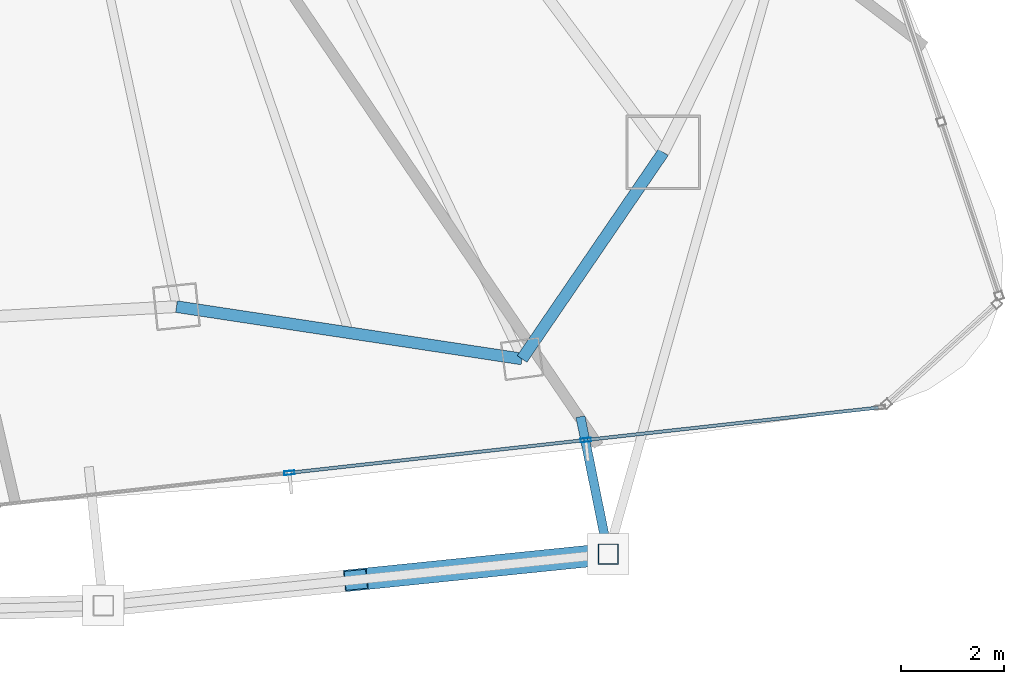
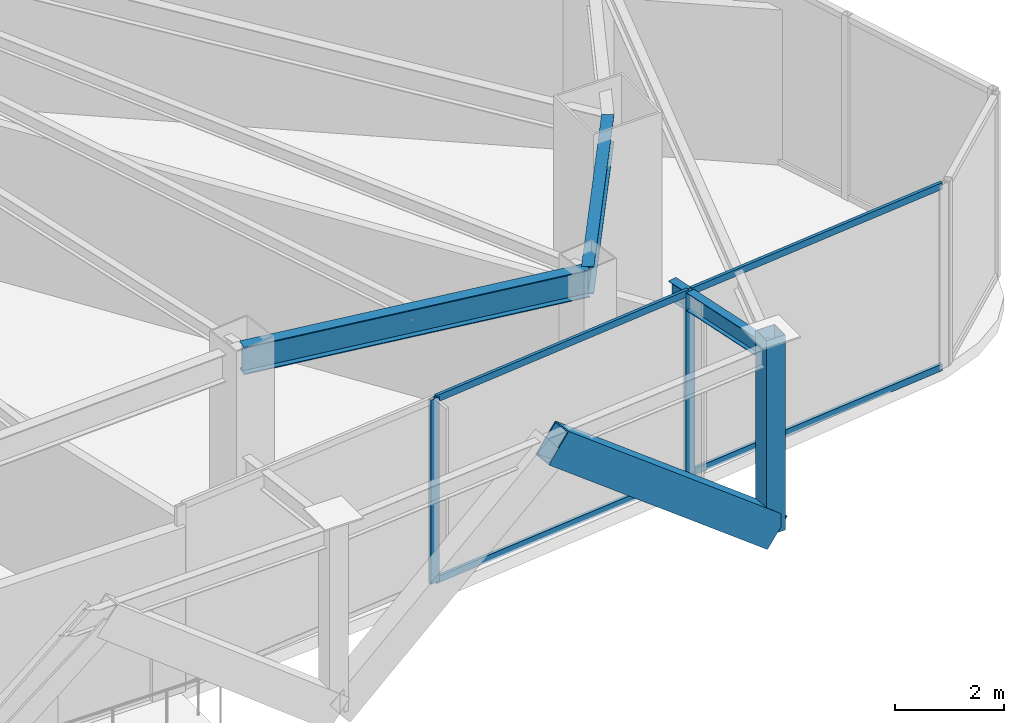
# One storey, part 12 of 28: 8 members, 3 beams, 1 element without a shape of its own.
"""IFC4 building model written with IfcOpenShell, lengths in metres."""

from ifc_helpers import new_model, si_unit, direction, frame, origin, origin_2d, place, context, subcontext, project, spatial, hollow_rectangle, i_section, extrude, material, layer, layer_set, material_profile, profile_set, type_object, element, aggregate, save


model = new_model("IFC4")

# Units and contexts
model_context = context("Model", 3, precision=1e-05, world=origin(), true_north=direction((0.0, 1.0)))
body_context = subcontext(model_context, "Body", "Model", "MODEL_VIEW")
ifc_project = project(units=[si_unit("LENGTHUNIT", "METRE"), si_unit("AREAUNIT", "SQUARE_METRE"), si_unit("VOLUMEUNIT", "CUBIC_METRE"), si_unit("PLANEANGLEUNIT", "RADIAN"), si_unit("MASSUNIT", "GRAM", prefix="KILO")], contexts=[model_context])

# Site, building, storey
site_placement = place(None, origin())
site = spatial("IfcSite", under=ifc_project, at=site_placement, CompositionType="ELEMENT")
building_placement = place(site_placement, origin())
building = spatial("IfcBuilding", under=site, at=building_placement, Name="Orvanel Arch Residences", CompositionType="ELEMENT")
storey_placement = place(building_placement, frame((0.0, 0.0, 146.300048828125)))
storey = spatial("IfcBuildingStorey", under=building, at=storey_placement, Name="L41", CompositionType="ELEMENT", Elevation=146.300048828125)

# Member
ifc_material_1 = material(Name="Structural steel AS/NZS 3678 Grade 350", Category="steel")
ifc_material_profile_1 = material_profile(ifc_material_1, hollow_rectangle(XDim=0.419921875, YDim=0.719970703125, WallThickness=0.02490234375, at=origin_2d()), Name="RHS720x420x25")
ifc_profile_set_1 = profile_set([ifc_material_profile_1], Name="Structural steel AS/NZS 3678 Grade 350")
member_type_1 = type_object("IfcMemberType", Name="BR-720RHS-EXT", PredefinedType="BRACE", material=ifc_profile_set_1)
member_1_placement = place(storey_placement, frame((50.73291015625, 2.551025390625, 0.0), z_axis=(-0.77945921394, -0.079522390662, 0.621385164924), x_axis=(0.101495670463, -0.994835980892, 0.0)))
element("IfcMember", 1, at=member_1_placement, inside=storey, type_object=member_type_1, Name="L41 Exterior Sky-Garden V-Frame Chevron F2B3.2", PredefinedType="BRACE", context=body_context, shape_type="SweptSolid", body=[
    extrude(hollow_rectangle(XDim=0.419921875, YDim=0.719970703125, WallThickness=0.02490234375, at=origin_2d()), origin(), (0.0, 0.0, 1.0), 6.28759765625),
])

# Curtain wall, members
ifc_material_2 = material(Name="Bronze-anodised aluminium AA6063-T6", Category="aluminium")
ifc_layer = layer(ifc_material_2, 0.195068359375)
ifc_layer_set = layer_set([ifc_layer], Name="Bronze-anodised aluminium AA6063-T6")
curtain_wall_type = type_object("IfcCurtainWallType", Name="CW6-COM-SYS", PredefinedType="NOTDEFINED", material=ifc_layer_set)
curtain_wall_placement = place(storey_placement, origin())
curtain_wall = element("IfcCurtainWall", 2, at=curtain_wall_placement, inside=storey, type_object=curtain_wall_type, Name="L41 CW6-COM-SYS Unitised Curtain Wall", PredefinedType="NOTDEFINED")
ifc_material_profile_2 = material_profile(ifc_material_2, hollow_rectangle(XDim=0.074951171875, YDim=0.199951171875, WallThickness=0.0048828125, at=origin_2d()), Name="ALU200x75x5")
ifc_profile_set_2 = profile_set([ifc_material_profile_2], Name="Bronze-anodised aluminium AA6063-T6")
member_type_2 = type_object("IfcMemberType", Name="MUL-200x75", PredefinedType="MULLION", material=ifc_profile_set_2)
member_2_placement = place(storey_placement, frame((44.5419921875, 4.12841796875, 0.0), z_axis=(0.0, 0.0, 1.0), x_axis=(-0.110090261109, 0.993921593693, 0.0)))
member_2 = element("IfcMember", 3, at=member_2_placement, type_object=member_type_2, Name="CW-S6 mullion 2", PredefinedType="MULLION", context=body_context, shape_type="SweptSolid", body=[
    extrude(hollow_rectangle(XDim=0.074951171875, YDim=0.199951171875, WallThickness=0.0048828125, at=origin_2d()), origin(), (0.0, 0.0, 1.0), 4.10986328125),
])
member_3_placement = place(storey_placement, frame((50.2958984375, 4.765625, 0.0), z_axis=(0.0, 0.0, 1.0), x_axis=(-0.110090261109, 0.993921593693, 0.0)))
member_3 = element("IfcMember", 4, at=member_3_placement, type_object=member_type_2, Name="CW-S6 mullion 3", PredefinedType="MULLION", context=body_context, shape_type="SweptSolid", body=[
    extrude(hollow_rectangle(XDim=0.074951171875, YDim=0.199951171875, WallThickness=0.0048828125, at=origin_2d()), origin(), (0.0, 0.0, 1.0), 4.10986328125),
])

# Beams
ifc_material_3 = material(Name="Structural steel AS/NZS 3679.1 Grade 300 (300 MPa)", Category="steel")
ifc_material_profile_3 = material_profile(ifc_material_3, i_section(OverallWidth=0.177978515625, OverallDepth=0.406005859375, WebThickness=0.0078125, FlangeThickness=0.0126953125, at=origin_2d()), Name="410UB59.7")
ifc_profile_set_3 = profile_set([ifc_material_profile_3], Name="Structural steel AS/NZS 3679.1 Grade 300 (300 MPa)")
beam_type_1 = type_object("IfcBeamType", Name="OB-410UB-EXT", PredefinedType="SPANDREL", material=ifc_profile_set_3)
beam_1_placement = place(storey_placement, frame((50.194091796875, 5.218994140625, 3.906982421875), z_axis=(0.197961477858, -0.980209800647, 0.0), x_axis=(0.980209800647, 0.197961477858, 0.0)))
element("IfcBeam", 5, at=beam_1_placement, inside=storey, type_object=beam_type_1, Name="L41 Outer Frame Radial Tie Beam 08", PredefinedType="SPANDREL", context=body_context, shape_type="SweptSolid", body=[
    extrude(i_section(OverallWidth=0.177978515625, OverallDepth=0.406005859375, WebThickness=0.0078125, FlangeThickness=0.0126953125, at=origin_2d()), origin(), (0.0, 0.0, 1.0), 2.721923828125),
])
ifc_material_profile_4 = material_profile(ifc_material_3, i_section(OverallWidth=0.22900390625, OverallDepth=0.612060546875, WebThickness=0.011962890625, FlangeThickness=0.01953125, at=origin_2d()), Name="610UB125")
ifc_profile_set_4 = profile_set([ifc_material_profile_4], Name="Structural steel AS/NZS 3679.1 Grade 300 (300 MPa)")
beam_type_2 = type_object("IfcBeamType", Name="SP-610UB", PredefinedType="SPANDREL", material=ifc_profile_set_4)
beam_2_placement = place(storey_placement, frame((42.35107421875, 7.35498046875, 3.803955078125), z_axis=(0.988726323014, -0.149733958002, 0.0), x_axis=(0.149733958002, 0.988726323014, 0.0)))
element("IfcBeam", 6, at=beam_2_placement, inside=storey, type_object=beam_type_2, Name="L41 Perimeter Spandrel Beam 07", PredefinedType="SPANDREL", context=body_context, shape_type="SweptSolid", body=[
    extrude(i_section(OverallWidth=0.22900390625, OverallDepth=0.612060546875, WebThickness=0.011962890625, FlangeThickness=0.01953125, at=origin_2d()), origin(), (0.0, 0.0, 1.0), 6.784423828125),
])
beam_3_placement = place(storey_placement, frame((49.05908203125, 6.339111328125, 3.803955078125), z_axis=(0.564251579852, 0.825602903722, 0.0), x_axis=(-0.825602903722, 0.564251579852, 0.0)))
element("IfcBeam", 7, at=beam_3_placement, inside=storey, type_object=beam_type_2, Name="L41 Perimeter Spandrel Beam 08", PredefinedType="SPANDREL", context=body_context, shape_type="SweptSolid", body=[
    extrude(i_section(OverallWidth=0.22900390625, OverallDepth=0.612060546875, WebThickness=0.011962890625, FlangeThickness=0.01953125, at=origin_2d()), origin(), (0.0, 0.0, 1.0), 4.859375),
])

# Member
ifc_material_4 = material(Name="Structural steel AS/NZS 1163 C450L0 (Grade 450)", Category="steel")
ifc_material_profile_5 = material_profile(ifc_material_4, hollow_rectangle(XDim=0.39990234375, YDim=0.39990234375, WallThickness=0.01611328125, at=origin_2d()), Name="SHS400x400x16")
ifc_profile_set_5 = profile_set([ifc_material_profile_5], Name="Structural steel AS/NZS 1163 C450L0 (Grade 450)")
member_type_3 = type_object("IfcMemberType", Name="ST-400SHS-EXT", PredefinedType="STRUT", material=ifc_profile_set_5)
member_4_placement = place(storey_placement, frame((50.73291015625, 2.551025390625, 0.0), z_axis=(0.0, 0.0, 1.0), x_axis=(1.0, 0.0, 0.0)))
element("IfcMember", 8, at=member_4_placement, inside=storey, type_object=member_type_3, Name="L41 Outer Perimeter Frame Post 08", PredefinedType="STRUT", context=body_context, shape_type="SweptSolid", body=[
    extrude(hollow_rectangle(XDim=0.39990234375, YDim=0.39990234375, WallThickness=0.01611328125, at=origin_2d()), origin(), (0.0, 0.0, 1.0), 4.349853515625),
])

ifc_material_profile_6 = material_profile(ifc_material_2, hollow_rectangle(XDim=0.06494140625, YDim=0.14990234375, WallThickness=0.00390625, at=origin_2d()), Name="ALU150x65x4")
ifc_profile_set_6 = profile_set([ifc_material_profile_6], Name="Bronze-anodised aluminium AA6063-T6")
member_type_4 = type_object("IfcMemberType", Name="TRN-150x65", PredefinedType="USERDEFINED", material=ifc_profile_set_6)
member_5_placement = place(storey_placement, frame((44.579345703125, 4.132568359375, 0.032470703125), z_axis=(0.993924828065, 0.110061056489, 0.0), x_axis=(-0.110061056489, 0.993924828065, 0.0)))
member_5 = element("IfcMember", 9, at=member_5_placement, type_object=member_type_4, Name="CW-S6 transom 2.1", ObjectType="TRANSOM", PredefinedType="USERDEFINED", context=body_context, shape_type="SweptSolid", body=[
    extrude(hollow_rectangle(XDim=0.06494140625, YDim=0.14990234375, WallThickness=0.00390625, at=origin_2d()), origin(), (0.0, 0.0, 1.0), 5.714111328125),
])

member_6_placement = place(storey_placement, frame((44.579345703125, 4.132568359375, 4.077392578125), z_axis=(0.993924828065, 0.110061056489, 0.0), x_axis=(-0.110061056489, 0.993924828065, 0.0)))
member_6 = element("IfcMember", 10, at=member_6_placement, type_object=member_type_4, Name="CW-S6 transom 2.2", ObjectType="TRANSOM", PredefinedType="USERDEFINED", context=body_context, shape_type="SweptSolid", body=[
    extrude(hollow_rectangle(XDim=0.06494140625, YDim=0.14990234375, WallThickness=0.00390625, at=origin_2d()), origin(), (0.0, 0.0, 1.0), 5.714111328125),
])

member_7_placement = place(storey_placement, frame((50.333251953125, 4.769775390625, 0.032470703125), z_axis=(0.993920394096, 0.110101090822, 0.0), x_axis=(-0.110101090822, 0.993920394096, 0.0)))
member_7 = element("IfcMember", 11, at=member_7_placement, type_object=member_type_4, Name="CW-S6 transom 3.1", ObjectType="TRANSOM", PredefinedType="USERDEFINED", context=body_context, shape_type="SweptSolid", body=[
    extrude(hollow_rectangle(XDim=0.06494140625, YDim=0.14990234375, WallThickness=0.00390625, at=origin_2d()), origin(), (0.0, 0.0, 1.0), 5.676513671875),
])

member_8_placement = place(storey_placement, frame((50.333251953125, 4.769775390625, 4.077392578125), z_axis=(0.993920394096, 0.110101090822, 0.0), x_axis=(-0.110101090822, 0.993920394096, 0.0)))
member_8 = element("IfcMember", 12, at=member_8_placement, type_object=member_type_4, Name="CW-S6 transom 3.2", ObjectType="TRANSOM", PredefinedType="USERDEFINED", context=body_context, shape_type="SweptSolid", body=[
    extrude(hollow_rectangle(XDim=0.06494140625, YDim=0.14990234375, WallThickness=0.00390625, at=origin_2d()), origin(), (0.0, 0.0, 1.0), 5.676513671875),
])

aggregate(curtain_wall, [member_2, member_3, member_5, member_6, member_7, member_8])

save(model, "model.ifc")
